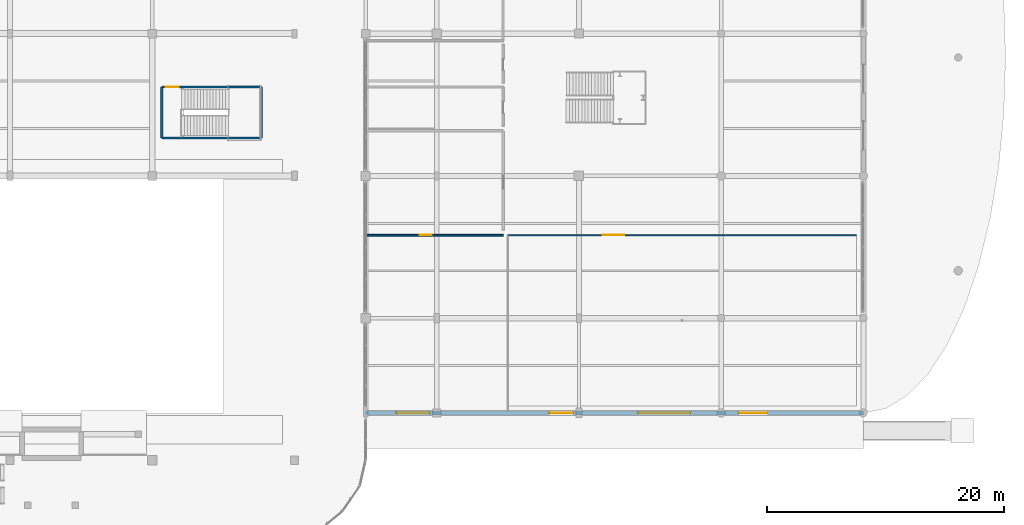
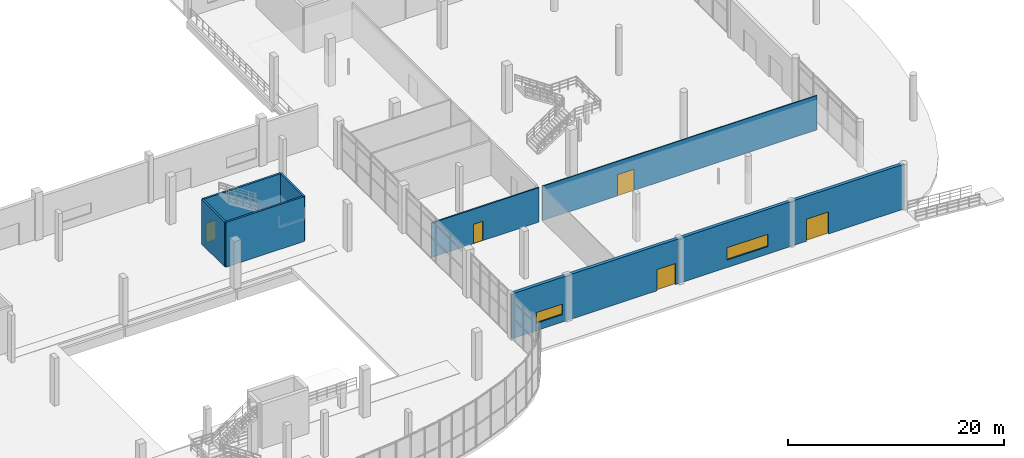
# One storey, part 64 of 85: 7 walls, 5 doors, 2 windows, 7 openings.
"""IFC4 building model written with IfcOpenShell, lengths in metres."""

import ifcopenshell
import ifcopenshell.guid

model = None  # the IFC model being written
_history = None  # IfcOwnerHistory: only IFC2X3 demands one
_inside = {}  # id of a spatial element -> (the spatial element, [elements in it])
_under = {}  # id of a project, library or spatial element -> (it, [spatial elements below it])
_declared = {}  # id of a project -> (the project, [libraries it declares])
_typed = {}  # id of a type object -> (the type object, [elements of that type])
_made_of = {}  # id of a material, layer set ... -> (it, [elements and type objects made of it])


def new_model(schema):
    """Start an empty IFC model of exactly this schema.

    Asked for "IFC4X3", IfcOpenShell would pick the latest addendum, in which some entities
    have other attributes; the version numbers below select the first issue.
    IFC2X3 requires an IfcOwnerHistory on every rooted entity: one is made here for all.
    """
    global model, _history
    if schema == "IFC4X3":
        model = ifcopenshell.file(schema_version=(4, 3, 0, 0))
    else:
        model = ifcopenshell.file(schema=schema)
    _inside.clear()
    _under.clear()
    _declared.clear()
    _typed.clear()
    _made_of.clear()
    _history = None
    if model.schema == "IFC2X3":
        org = make("IfcOrganization", Name="unknown")
        user = make(
            "IfcPersonAndOrganization",
            ThePerson=make("IfcPerson", FamilyName="unknown"),
            TheOrganization=org,
        )
        app = make(
            "IfcApplication",
            ApplicationDeveloper=org,
            Version="unknown",
            ApplicationFullName="unknown",
            ApplicationIdentifier="unknown",
        )
        _history = make(
            "IfcOwnerHistory",
            OwningUser=user,
            OwningApplication=app,
            ChangeAction="ADDED",
            CreationDate=0,
        )
    return model


def make(cls, **values):
    """One entity of the class cls with the attributes given. An attribute that is None is left unset."""
    return model.create_entity(
        cls, **{name: value for name, value in values.items() if value is not None}
    )


def rooted(cls, **values):
    """An entity with a GlobalId (a new one), such as an element, a storey or a relation."""
    return make(cls, GlobalId=ifcopenshell.guid.new(), OwnerHistory=_history, **values)


def si_unit(unit_type, name, prefix=None):
    """IfcSIUnit, for example si_unit("LENGTHUNIT", "METRE", prefix="MILLI")."""
    return make("IfcSIUnit", UnitType=unit_type, Prefix=prefix, Name=name)


def assignment(units):
    """IfcUnitAssignment: the units of a project."""
    return None if units is None else make("IfcUnitAssignment", Units=units)


def point(xyz):
    """IfcCartesianPoint."""
    return None if xyz is None else make("IfcCartesianPoint", Coordinates=xyz)


def direction(xyz):
    """IfcDirection."""
    return None if xyz is None else make("IfcDirection", DirectionRatios=xyz)


def frame(location, z_axis=None, x_axis=None):
    """IfcAxis2Placement3D, a coordinate frame: its origin and axes. An axis left out is left unset."""
    return make(
        "IfcAxis2Placement3D",
        Location=point(location),
        Axis=direction(z_axis),
        RefDirection=direction(x_axis),
    )


def frame_2d(location, x_axis=None):
    """IfcAxis2Placement2D, a coordinate frame in the plane: its origin and x axis."""
    return make(
        "IfcAxis2Placement2D", Location=point(location), RefDirection=direction(x_axis)
    )


def origin():
    """The frame at (0, 0, 0) with its axes left unset."""
    return frame((0.0, 0.0, 0.0))


def place(relative_to, where):
    """IfcLocalPlacement: puts the frame where relative to a parent placement (None: the world)."""
    return make(
        "IfcLocalPlacement", PlacementRelTo=relative_to, RelativePlacement=where
    )


def context(
    kind, dimensions, precision=None, world=None, true_north=None, identifier=None
):
    """IfcGeometricRepresentationContext, for example the 3D "Model" context."""
    return make(
        "IfcGeometricRepresentationContext",
        ContextIdentifier=identifier,
        ContextType=kind,
        CoordinateSpaceDimension=dimensions,
        Precision=precision,
        WorldCoordinateSystem=world,
        TrueNorth=true_north,
    )


def subcontext(parent, identifier, kind, view, scale=None):
    """IfcGeometricRepresentationSubContext, for example "Body" below "Model"."""
    return make(
        "IfcGeometricRepresentationSubContext",
        ContextIdentifier=identifier,
        ContextType=kind,
        ParentContext=parent,
        TargetScale=scale,
        TargetView=view,
    )


def project(units=None, contexts=None):
    """IfcProject with its units and contexts."""
    return rooted(
        "IfcProject",
        Name="project",
        RepresentationContexts=contexts,
        UnitsInContext=assignment(units),
    )


def spatial(cls, under=None, at=None, **own):
    """A site, building, storey or space (cls), placed at a placement, below another one or the project."""
    s = rooted(cls, ObjectPlacement=at, **own)
    if under is not None:
        _under.setdefault(under.id(), (under, []))[1].append(s)
    return s


def profile(cls, at=None, kind="AREA", **sizes):
    """A parametric profile (cls). Its sizes go by their IFC names, for example OverallWidth=200.0."""
    return make(cls, ProfileType=kind, Position=at, **sizes)


def rectangle(**sizes):
    """IfcRectangleProfileDef."""
    return profile("IfcRectangleProfileDef", **sizes)


def extrude(swept, where, along, depth):
    """IfcExtrudedAreaSolid: the profile swept, set in the frame where, extruded along a direction by depth."""
    return make(
        "IfcExtrudedAreaSolid",
        SweptArea=swept,
        Position=where,
        ExtrudedDirection=direction(along),
        Depth=depth,
    )


def shape(context_of_items, identifier, shape_type, items):
    """IfcShapeRepresentation: the items that make up one representation, for example the "Body"."""
    return make(
        "IfcShapeRepresentation",
        ContextOfItems=context_of_items,
        RepresentationIdentifier=identifier,
        RepresentationType=shape_type,
        Items=items,
    )


def material(Name=None, Category=None):
    """IfcMaterial."""
    return make("IfcMaterial", Name=Name, Category=Category)


def layer(
    of_material, thickness, ventilated=None, Name=None, Category=None, Priority=None
):
    """IfcMaterialLayer: one layer of a wall or slab, of a material (None: an air gap)."""
    return make(
        "IfcMaterialLayer",
        Material=of_material,
        LayerThickness=thickness,
        IsVentilated=ventilated,
        Name=Name,
        Category=Category,
        Priority=Priority,
    )


def layer_set(layers, Name=None):
    """IfcMaterialLayerSet."""
    return make("IfcMaterialLayerSet", MaterialLayers=layers, LayerSetName=Name)


def made_of(thing, what):
    """Note that an element or type object is made of a material, layer set ...; save() writes the relation."""
    if what is not None:
        _made_of.setdefault(what.id(), (what, []))[1].append(thing)
    return thing


def type_object(cls, material=None, **own):
    """A type object (cls), such as IfcWallType, which elements share."""
    return made_of(rooted(cls, **own), material)


def element(
    cls,
    number,
    at=None,
    inside=None,
    cuts=None,
    type_object=None,
    material=None,
    context=None,
    identifier="Body",
    shape_type=None,
    held_by="IfcProductDefinitionShape",
    body=None,
    shapes=None,
    **own,
):
    """One element of the class cls, such as IfcWall. Its Tag is "e" and its number.

    at: its placement. inside: the storey or other place that contains it. cuts: it is an
    opening in that element (IfcRelVoidsElement). A single representation is given by context,
    identifier, shape_type and body (its items); several are given by shapes. held_by: the class
    of the entity that holds the representations. save() writes the other relations.
    """
    e = rooted(cls, Tag="e%d" % number, ObjectPlacement=at, **own)
    if body is not None:
        shapes = [shape(context, identifier, shape_type, body)]
    if shapes is not None:
        e.Representation = make(held_by, Representations=shapes)
    if inside is not None:
        _inside.setdefault(inside.id(), (inside, []))[1].append(e)
    if cuts is not None:
        rooted(
            "IfcRelVoidsElement", RelatingBuildingElement=cuts, RelatedOpeningElement=e
        )
    if type_object is not None:
        _typed.setdefault(type_object.id(), (type_object, []))[1].append(e)
    return made_of(e, material)


def fill(opening, filler):
    """IfcRelFillsElement: the door or window that sits in an opening."""
    return rooted(
        "IfcRelFillsElement",
        RelatingOpeningElement=opening,
        RelatedBuildingElement=filler,
    )


def aggregate(whole, parts):
    """IfcRelAggregates: a whole, such as a stair, and the parts it consists of."""
    return rooted("IfcRelAggregates", RelatingObject=whole, RelatedObjects=parts)


def save(model, path):
    """Write the relations noted so far, then the file.

    IfcRelAggregates (storeys below a building ...), IfcRelContainedInSpatialStructure (elements
    in a storey), IfcRelDefinesByType, IfcRelAssociatesMaterial and IfcRelDeclares: one each for
    every whole, place, type object, material and project.
    """
    for whole, parts in _under.values():
        aggregate(whole, parts)
    for where, things in _inside.values():
        rooted(
            "IfcRelContainedInSpatialStructure",
            RelatedElements=things,
            RelatingStructure=where,
        )
    for kind, things in _typed.values():
        rooted("IfcRelDefinesByType", RelatedObjects=things, RelatingType=kind)
    for what, things in _made_of.values():
        rooted("IfcRelAssociatesMaterial", RelatedObjects=things, RelatingMaterial=what)
    for by, libraries in _declared.values():
        rooted("IfcRelDeclares", RelatingContext=by, RelatedDefinitions=libraries)
    model.write(path)


model = new_model("IFC4")

# Units and contexts
model_context = context("Model", 3, precision=1e-05, world=origin(), true_north=direction((0.0, 1.0)))
body_context = subcontext(model_context, "Body", "Model", "MODEL_VIEW")
ifc_project = project(units=[si_unit("LENGTHUNIT", "METRE"), si_unit("AREAUNIT", "SQUARE_METRE"), si_unit("VOLUMEUNIT", "CUBIC_METRE"), si_unit("PLANEANGLEUNIT", "RADIAN"), si_unit("MASSUNIT", "GRAM", prefix="KILO"), si_unit("THERMODYNAMICTEMPERATUREUNIT", "KELVIN"), si_unit("POWERUNIT", "WATT")], contexts=[model_context])

# Site, building, storey
site_placement = place(None, origin())
site = spatial("IfcSite", under=ifc_project, at=site_placement, CompositionType="ELEMENT")
building_placement = place(site_placement, origin())
building = spatial("IfcBuilding", under=site, at=building_placement, Name="Solmara Park Aquatics Centre", CompositionType="ELEMENT")
storey_placement = place(building_placement, origin())
storey = spatial("IfcBuildingStorey", under=building, at=storey_placement, Name="L00", CompositionType="ELEMENT", Elevation=0.0)

# Wall, openings, doors, windows
ifc_material_1 = material(Name="Insulated Limestone Render Wall", Category="masonry")
ifc_layer_1 = layer(ifc_material_1, 0.35009765625, Name="Insulated Limestone Render Wall")
ifc_layer_set_1 = layer_set([ifc_layer_1], Name="Insulated Limestone Render Wall")
wall_type_1 = type_object("IfcWallType", Name="ARC-WL-EXT350", PredefinedType="SOLIDWALL", material=ifc_layer_set_1)
wall_1_placement = place(storey_placement, frame((162.0, 16.60009765625, 0.0), z_axis=(0.0, 0.0, 1.0), x_axis=(1.0, 0.0, 0.0)))
wall_1 = element("IfcWall", 1, at=wall_1_placement, inside=storey, type_object=wall_type_1, Name="Exterior Facade Wall EW-L00-008", PredefinedType="SOLIDWALL", context=body_context, shape_type="SweptSolid", body=[
    extrude(rectangle(XDim=42.0, YDim=0.35009765625, at=frame_2d((21.0, 0.0))), origin(), (0.0, 0.0, 1.0), 5.080078125),
])
opening_1_placement = place(wall_1_placement, frame((15.5, 0.0, 0.0)))
opening_1 = element("IfcOpeningElement", 2, at=opening_1_placement, cuts=wall_1, Name="Opening D-02", PredefinedType="OPENING", context=body_context, shape_type="SweptSolid", body=[
    extrude(rectangle(XDim=2.0, YDim=2.39990234375, at=frame_2d((1.0, 1.199951171875))), frame((0.0, 0.18505859375, 0.0), z_axis=(0.0, -1.0, 0.0), x_axis=(1.0, 0.0, 0.0)), (0.0, 0.0, 1.0), 0.3701171875),
])
opening_2_placement = place(wall_1_placement, frame((31.5, 0.0, 0.0)))
opening_2 = element("IfcOpeningElement", 3, at=opening_2_placement, cuts=wall_1, Name="Opening D-01", PredefinedType="OPENING", context=body_context, shape_type="SweptSolid", body=[
    extrude(rectangle(XDim=2.39990234375, YDim=2.5, at=frame_2d((1.199951171875, 1.25))), frame((0.0, 0.18505859375, 0.0), z_axis=(0.0, -1.0, 0.0), x_axis=(1.0, 0.0, 0.0)), (0.0, 0.0, 1.0), 0.3701171875),
])
opening_3_placement = place(wall_1_placement, frame((2.60009765625, 0.0, 0.85009765625)))
opening_3 = element("IfcOpeningElement", 4, at=opening_3_placement, cuts=wall_1, Name="Opening W-05", PredefinedType="OPENING", context=body_context, shape_type="SweptSolid", body=[
    extrude(rectangle(XDim=2.800048828125, YDim=1.199951171875, at=frame_2d((1.39990234375, 0.60009765625))), frame((0.0, 0.18505859375, 0.0), z_axis=(0.0, -1.0, 0.0), x_axis=(1.0, 0.0, 0.0)), (0.0, 0.0, 1.0), 0.3701171875),
])
opening_4_placement = place(wall_1_placement, frame((23.0, 0.0, 0.85009765625)))
opening_4 = element("IfcOpeningElement", 5, at=opening_4_placement, cuts=wall_1, Name="Opening W-27", PredefinedType="OPENING", context=body_context, shape_type="SweptSolid", body=[
    extrude(rectangle(XDim=4.39990234375, YDim=1.39990234375, at=frame_2d((2.199951171875, 0.699951171875))), frame((0.0, 0.18505859375, 0.0), z_axis=(0.0, -1.0, 0.0), x_axis=(1.0, 0.0, 0.0)), (0.0, 0.0, 1.0), 0.3701171875),
])
ifc_material_2 = material(Name="Thermally Broken Powder-Coated Aluminium and Laminated Glass", Category="aluminium")
door_type_1 = type_object("IfcDoorType", Name="ARC-DR-EXT200x240", OperationType="DOUBLE_DOOR_SINGLE_SWING", PredefinedType="DOOR", material=ifc_material_2)
door_1_placement = place(opening_1_placement, frame((2.0, 0.0, 0.0), z_axis=(0.0, 0.0, 1.0), x_axis=(-1.0, 0.0, 0.0)))
door_1 = element("IfcDoor", 6, at=door_1_placement, inside=storey, type_object=door_type_1, Name="Cafe Garden Terrace Exit (EX-09)", OperationType="DOUBLE_DOOR_SINGLE_SWING", OverallHeight=2.39990234375, OverallWidth=2.0, PredefinedType="DOOR", context=body_context, shape_type="SweptSolid", body=[
    extrude(rectangle(XDim=2.0, YDim=2.39990234375, at=frame_2d((1.0, 1.199951171875))), frame((0.0, 0.02490234375, 0.0), z_axis=(0.0, -1.0, 0.0), x_axis=(1.0, 0.0, 0.0)), (0.0, 0.0, 1.0), 0.050048828125),
])
fill(opening_1, door_1)
door_type_2 = type_object("IfcDoorType", Name="ARC-DR-EXT240x250", OperationType="DOUBLE_DOOR_SINGLE_SWING", PredefinedType="DOOR", material=ifc_material_2)
door_2_placement = place(opening_2_placement, frame((2.39990234375, 0.0, 0.0), z_axis=(0.0, 0.0, 1.0), x_axis=(-1.0, 0.0, 0.0)))
door_2 = element("IfcDoor", 7, at=door_2_placement, inside=storey, type_object=door_type_2, Name="Foyer South Park Promenade Exit (EX-10)", OperationType="DOUBLE_DOOR_SINGLE_SWING", OverallHeight=2.5, OverallWidth=2.39990234375, PredefinedType="DOOR", context=body_context, shape_type="SweptSolid", body=[
    extrude(rectangle(XDim=2.39990234375, YDim=2.5, at=frame_2d((1.199951171875, 1.25))), frame((0.0, 0.02490234375, 0.0), z_axis=(0.0, -1.0, 0.0), x_axis=(1.0, 0.0, 0.0)), (0.0, 0.0, 1.0), 0.050048828125),
])
fill(opening_2, door_2)
ifc_material_3 = material(Name="Thermally Broken Aluminium and Low-E Double Glazing", Category="aluminium")
window_type_1 = type_object("IfcWindowType", Name="ARC-WN-280x120", PartitioningType="DOUBLE_PANEL_HORIZONTAL", PredefinedType="WINDOW", material=ifc_material_3)
window_1_placement = place(opening_3_placement, frame((2.800048828125, 0.0, 0.0), z_axis=(0.0, 0.0, 1.0), x_axis=(-1.0, 0.0, 0.0)))
window_1 = element("IfcWindow", 8, at=window_1_placement, inside=storey, type_object=window_type_1, Name="Ribbon Window WN-017", OverallHeight=1.199951171875, OverallWidth=2.800048828125, PartitioningType="DOUBLE_PANEL_HORIZONTAL", PredefinedType="WINDOW", context=body_context, shape_type="SweptSolid", body=[
    extrude(rectangle(XDim=2.800048828125, YDim=1.199951171875, at=frame_2d((1.39990234375, 0.60009765625))), frame((0.0, 0.030029296875, 0.0), z_axis=(0.0, -1.0, 0.0), x_axis=(1.0, 0.0, 0.0)), (0.0, 0.0, 1.0), 0.06005859375),
])
fill(opening_3, window_1)
window_type_2 = type_object("IfcWindowType", Name="ARC-WN-440x140", PartitioningType="TRIPLE_PANEL_HORIZONTAL", PredefinedType="WINDOW", material=ifc_material_3)
window_2_placement = place(opening_4_placement, frame((4.39990234375, 0.0, 0.0), z_axis=(0.0, 0.0, 1.0), x_axis=(-1.0, 0.0, 0.0)))
window_2 = element("IfcWindow", 9, at=window_2_placement, inside=storey, type_object=window_type_2, Name="Ribbon Window WN-018", OverallHeight=1.39990234375, OverallWidth=4.39990234375, PartitioningType="TRIPLE_PANEL_HORIZONTAL", PredefinedType="WINDOW", context=body_context, shape_type="SweptSolid", body=[
    extrude(rectangle(XDim=4.39990234375, YDim=1.39990234375, at=frame_2d((2.199951171875, 0.699951171875))), frame((0.0, 0.030029296875, 0.0), z_axis=(0.0, -1.0, 0.0), x_axis=(1.0, 0.0, 0.0)), (0.0, 0.0, 1.0), 0.06005859375),
])
fill(opening_4, window_2)

# Wall, opening, door
ifc_material_4 = material(Name="Acoustic Laminated Glass Framed Partition", Category="glass")
ifc_layer_2 = layer(ifc_material_4, 0.10009765625, Name="Acoustic Laminated Glass Framed Partition")
ifc_layer_set_2 = layer_set([ifc_layer_2], Name="Acoustic Laminated Glass Framed Partition")
wall_type_2 = type_object("IfcWallType", Name="ARC-WL-GLZ100", PredefinedType="PARTITIONING", material=ifc_layer_set_2)
wall_2_placement = place(storey_placement, frame((174.0, 31.60009765625, 0.0), z_axis=(0.0, 0.0, 1.0), x_axis=(1.0, 0.0, 0.0)))
wall_2 = element("IfcWall", 10, at=wall_2_placement, inside=storey, type_object=wall_type_2, Name="Interior Partition IW-L00-0049 (L00-CAF-01)", PredefinedType="PARTITIONING", context=body_context, shape_type="SweptSolid", body=[
    extrude(rectangle(XDim=29.39990234375, YDim=0.10009765625, at=frame_2d((14.699951171875, 0.0))), origin(), (0.0, 0.0, 1.0), 3.89990234375),
])
opening_5_placement = place(wall_2_placement, frame((8.0, 0.0, 0.0)))
opening_5 = element("IfcOpeningElement", 11, at=opening_5_placement, cuts=wall_2, Name="Opening D-21", PredefinedType="OPENING", context=body_context, shape_type="SweptSolid", body=[
    extrude(rectangle(XDim=1.800048828125, YDim=2.39990234375, at=frame_2d((0.89990234375, 1.199951171875))), frame((0.0, 0.06005859375, 0.0), z_axis=(0.0, -1.0, 0.0), x_axis=(1.0, 0.0, 0.0)), (0.0, 0.0, 1.0), 0.1201171875),
])
ifc_material_5 = material(Name="Moisture-Resistant HPL & Hardwood", Category="wood")
door_type_3 = type_object("IfcDoorType", Name="ARC-DR-GLZ180x240", OperationType="DOUBLE_DOOR_SINGLE_SWING", PredefinedType="DOOR", material=ifc_material_5)
door_3_placement = place(opening_5_placement, origin())
door_3 = element("IfcDoor", 12, at=door_3_placement, inside=storey, type_object=door_type_3, Name="Parkside Aquatics Cafe and Garden Dining Hall Door", OperationType="DOUBLE_DOOR_SINGLE_SWING", OverallHeight=2.39990234375, OverallWidth=1.800048828125, PredefinedType="DOOR", context=body_context, shape_type="SweptSolid", body=[
    extrude(rectangle(XDim=1.800048828125, YDim=2.39990234375, at=frame_2d((0.89990234375, 1.199951171875))), frame((0.0, 0.02490234375, 0.0), z_axis=(0.0, -1.0, 0.0), x_axis=(1.0, 0.0, 0.0)), (0.0, 0.0, 1.0), 0.050048828125),
])
fill(opening_5, door_3)

ifc_material_6 = material(Name="Cement-Rendered Masonry Partition", Category="masonry")
ifc_layer_3 = layer(ifc_material_6, 0.14990234375, Name="Cement-Rendered Masonry Partition")
ifc_layer_set_3 = layer_set([ifc_layer_3], Name="Cement-Rendered Masonry Partition")
wall_type_3 = type_object("IfcWallType", Name="ARC-WL-MAS150", PredefinedType="PARTITIONING", material=ifc_layer_set_3)
wall_3_placement = place(storey_placement, frame((162.080078125, 31.60009765625, 0.0), z_axis=(0.0, 0.0, 1.0), x_axis=(1.0, 0.0, 0.0)))
wall_3 = element("IfcWall", 13, at=wall_3_placement, inside=storey, type_object=wall_type_3, Name="Interior Partition IW-L00-0051 (L00-KIT-01)", PredefinedType="PARTITIONING", context=body_context, shape_type="SweptSolid", body=[
    extrude(rectangle(XDim=11.52001953125, YDim=0.14990234375, at=frame_2d((5.760009765625, 0.0))), origin(), (0.0, 0.0, 1.0), 3.89990234375),
])
opening_6_placement = place(wall_3_placement, frame((4.5, 0.0, 0.0)))
opening_6 = element("IfcOpeningElement", 14, at=opening_6_placement, cuts=wall_3, Name="Opening D-16", PredefinedType="OPENING", context=body_context, shape_type="SweptSolid", body=[
    extrude(rectangle(XDim=1.0, YDim=2.199951171875, at=frame_2d((0.5, 1.10009765625))), frame((0.0, 0.0849609375, 0.0), z_axis=(0.0, -1.0, 0.0), x_axis=(1.0, 0.0, 0.0)), (0.0, 0.0, 1.0), 0.169921875),
])
door_type_4 = type_object("IfcDoorType", Name="ARC-DR-SGL100x220", OperationType="NOTDEFINED", PredefinedType="DOOR", material=ifc_material_5)
door_4_placement = place(opening_6_placement, origin())
door_4 = element("IfcDoor", 15, at=door_4_placement, inside=storey, type_object=door_type_4, Name="Cafe Servery and Catering Kitchen Door", OperationType="SINGLE_SWING_RIGHT", OverallHeight=2.199951171875, OverallWidth=1.0, PredefinedType="DOOR", context=body_context, shape_type="SweptSolid", body=[
    extrude(rectangle(XDim=1.0, YDim=2.199951171875, at=frame_2d((0.5, 1.10009765625))), frame((0.0, 0.02490234375, 0.0), z_axis=(0.0, -1.0, 0.0), x_axis=(1.0, 0.0, 0.0)), (0.0, 0.0, 1.0), 0.050048828125),
])
fill(opening_6, door_4)

# Wall
ifc_material_7 = material(Name="Concrete C35/45", Category="concrete")
ifc_layer_4 = layer(ifc_material_7, 0.199951171875, Name="Concrete C35/45")
ifc_layer_set_4 = layer_set([ifc_layer_4], Name="Concrete C35/45")
wall_type_4 = type_object("IfcWallType", Name="STR-WL-STAIR200", PredefinedType="SHEAR", material=ifc_layer_set_4)
wall_4_placement = place(storey_placement, frame((144.800048828125, 39.800048828125, 0.0), z_axis=(0.0, 0.0, 1.0), x_axis=(1.0, 0.0, 0.0)))
element("IfcWall", 16, at=wall_4_placement, inside=storey, type_object=wall_type_4, Name="ST09 Escape Stair Wall S L00", PredefinedType="SHEAR", context=body_context, shape_type="SweptSolid", body=[
    extrude(rectangle(XDim=8.39990234375, YDim=0.199951171875, at=frame_2d((4.199951171875, 0.0))), origin(), (0.0, 0.0, 1.0), 5.080078125),
])

# Wall, opening, door
wall_5_placement = place(storey_placement, frame((144.800048828125, 44.10009765625, 0.0), z_axis=(0.0, 0.0, 1.0), x_axis=(1.0, 0.0, 0.0)))
wall_5 = element("IfcWall", 17, at=wall_5_placement, inside=storey, type_object=wall_type_4, Name="ST09 Escape Stair Wall N L00", PredefinedType="SHEAR", context=body_context, shape_type="SweptSolid", body=[
    extrude(rectangle(XDim=8.39990234375, YDim=0.199951171875, at=frame_2d((4.199951171875, 0.0))), origin(), (0.0, 0.0, 1.0), 5.080078125),
])
opening_7_placement = place(wall_5_placement, frame((0.35009765625, 0.0, 0.0)))
opening_7 = element("IfcOpeningElement", 18, at=opening_7_placement, cuts=wall_5, Name="Opening D-11", PredefinedType="OPENING", context=body_context, shape_type="SweptSolid", body=[
    extrude(rectangle(XDim=1.10009765625, YDim=2.199951171875, at=frame_2d((0.550048828125, 1.10009765625))), frame((0.0, 0.10986328125, 0.0), z_axis=(0.0, -1.0, 0.0), x_axis=(1.0, 0.0, 0.0)), (0.0, 0.0, 1.0), 0.219970703125),
])
door_type_5 = type_object("IfcDoorType", Name="ARC-DR-FD110x220", OperationType="NOTDEFINED", PredefinedType="DOOR", material=ifc_material_5)
door_5_placement = place(opening_7_placement, origin())
door_5 = element("IfcDoor", 19, at=door_5_placement, inside=storey, type_object=door_type_5, Name="ST09 Escape Stair Entry Door L00", OperationType="SINGLE_SWING_RIGHT", OverallHeight=2.199951171875, OverallWidth=1.10009765625, PredefinedType="DOOR", context=body_context, shape_type="SweptSolid", body=[
    extrude(rectangle(XDim=1.10009765625, YDim=2.199951171875, at=frame_2d((0.550048828125, 1.10009765625))), frame((0.0, 0.02490234375, 0.0), z_axis=(0.0, -1.0, 0.0), x_axis=(1.0, 0.0, 0.0)), (0.0, 0.0, 1.0), 0.050048828125),
])
fill(opening_7, door_5)

# Walls
for number, where, z_axis, x_axis, name in (
    (20, (144.800048828125, 39.800048828125, 0.0), (0.0, 0.0, 1.0), (0.0, 1.0, 0.0), "ST09 Escape Stair Wall W L00"),
    (21, (153.199951171875, 39.800048828125, 0.0), (0.0, 0.0, 1.0), (0.0, 1.0, 0.0), "ST09 Escape Stair Wall E L00"),
):
    element("IfcWall", number, at=place(storey_placement, frame(where, z_axis=z_axis, x_axis=x_axis)), inside=storey, type_object=wall_type_4, Name=name, PredefinedType="SHEAR", context=body_context, shape_type="SweptSolid", body=[
        extrude(rectangle(XDim=4.300048828125, YDim=0.199951171875, at=frame_2d((2.14990234375, 0.0))), origin(), (0.0, 0.0, 1.0), 5.080078125),
    ])

save(model, "model.ifc")
